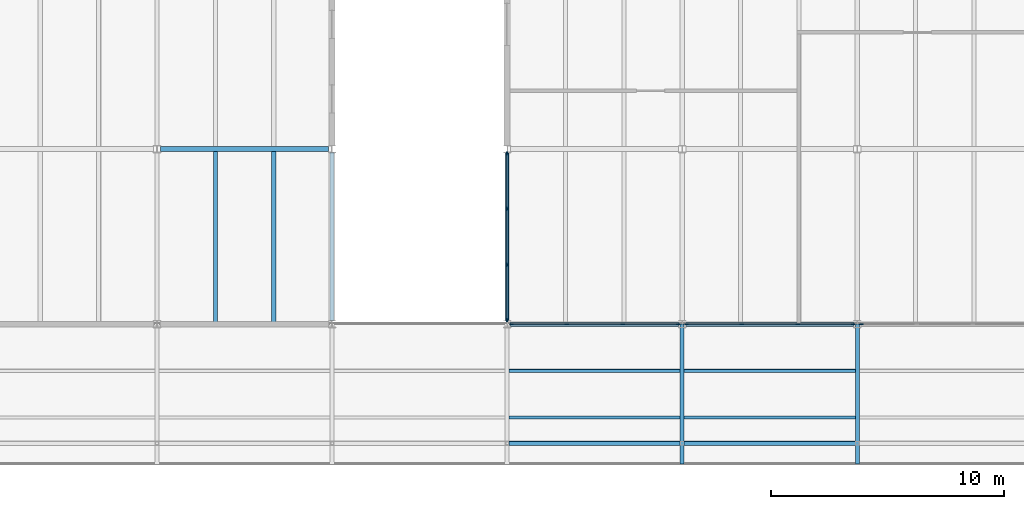
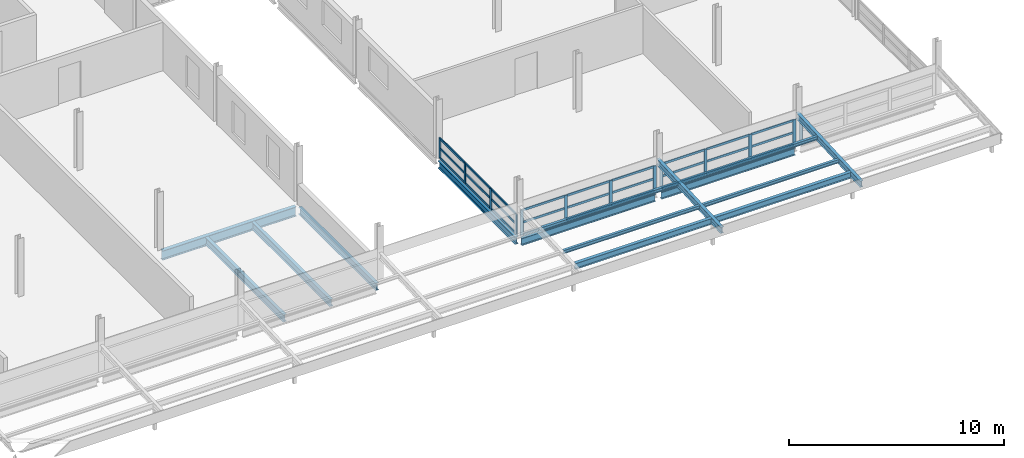
# One storey, part 46 of 214: 46 members, 9 beams, 4 elements without a shape of their own.
"""IFC4 building model written with IfcOpenShell, lengths in metres."""

import ifcopenshell
import ifcopenshell.guid

model = None  # the IFC model being written
_history = None  # IfcOwnerHistory: only IFC2X3 demands one
_inside = {}  # id of a spatial element -> (the spatial element, [elements in it])
_under = {}  # id of a project, library or spatial element -> (it, [spatial elements below it])
_declared = {}  # id of a project -> (the project, [libraries it declares])
_typed = {}  # id of a type object -> (the type object, [elements of that type])
_made_of = {}  # id of a material, layer set ... -> (it, [elements and type objects made of it])


def new_model(schema):
    """Start an empty IFC model of exactly this schema.

    Asked for "IFC4X3", IfcOpenShell would pick the latest addendum, in which some entities
    have other attributes; the version numbers below select the first issue.
    IFC2X3 requires an IfcOwnerHistory on every rooted entity: one is made here for all.
    """
    global model, _history
    if schema == "IFC4X3":
        model = ifcopenshell.file(schema_version=(4, 3, 0, 0))
    else:
        model = ifcopenshell.file(schema=schema)
    _inside.clear()
    _under.clear()
    _declared.clear()
    _typed.clear()
    _made_of.clear()
    _history = None
    if model.schema == "IFC2X3":
        org = make("IfcOrganization", Name="unknown")
        user = make(
            "IfcPersonAndOrganization",
            ThePerson=make("IfcPerson", FamilyName="unknown"),
            TheOrganization=org,
        )
        app = make(
            "IfcApplication",
            ApplicationDeveloper=org,
            Version="unknown",
            ApplicationFullName="unknown",
            ApplicationIdentifier="unknown",
        )
        _history = make(
            "IfcOwnerHistory",
            OwningUser=user,
            OwningApplication=app,
            ChangeAction="ADDED",
            CreationDate=0,
        )
    return model


def make(cls, **values):
    """One entity of the class cls with the attributes given. An attribute that is None is left unset."""
    return model.create_entity(
        cls, **{name: value for name, value in values.items() if value is not None}
    )


def rooted(cls, **values):
    """An entity with a GlobalId (a new one), such as an element, a storey or a relation."""
    return make(cls, GlobalId=ifcopenshell.guid.new(), OwnerHistory=_history, **values)


def si_unit(unit_type, name, prefix=None):
    """IfcSIUnit, for example si_unit("LENGTHUNIT", "METRE", prefix="MILLI")."""
    return make("IfcSIUnit", UnitType=unit_type, Prefix=prefix, Name=name)


def assignment(units):
    """IfcUnitAssignment: the units of a project."""
    return None if units is None else make("IfcUnitAssignment", Units=units)


def point(xyz):
    """IfcCartesianPoint."""
    return None if xyz is None else make("IfcCartesianPoint", Coordinates=xyz)


def direction(xyz):
    """IfcDirection."""
    return None if xyz is None else make("IfcDirection", DirectionRatios=xyz)


def frame(location, z_axis=None, x_axis=None):
    """IfcAxis2Placement3D, a coordinate frame: its origin and axes. An axis left out is left unset."""
    return make(
        "IfcAxis2Placement3D",
        Location=point(location),
        Axis=direction(z_axis),
        RefDirection=direction(x_axis),
    )


def frame_2d(location, x_axis=None):
    """IfcAxis2Placement2D, a coordinate frame in the plane: its origin and x axis."""
    return make(
        "IfcAxis2Placement2D", Location=point(location), RefDirection=direction(x_axis)
    )


def origin():
    """The frame at (0, 0, 0) with its axes left unset."""
    return frame((0.0, 0.0, 0.0))


def origin_2d():
    """The frame at (0, 0) in the plane with its x axis left unset."""
    return frame_2d((0.0, 0.0))


def place(relative_to, where):
    """IfcLocalPlacement: puts the frame where relative to a parent placement (None: the world)."""
    return make(
        "IfcLocalPlacement", PlacementRelTo=relative_to, RelativePlacement=where
    )


def context(
    kind, dimensions, precision=None, world=None, true_north=None, identifier=None
):
    """IfcGeometricRepresentationContext, for example the 3D "Model" context."""
    return make(
        "IfcGeometricRepresentationContext",
        ContextIdentifier=identifier,
        ContextType=kind,
        CoordinateSpaceDimension=dimensions,
        Precision=precision,
        WorldCoordinateSystem=world,
        TrueNorth=true_north,
    )


def subcontext(parent, identifier, kind, view, scale=None):
    """IfcGeometricRepresentationSubContext, for example "Body" below "Model"."""
    return make(
        "IfcGeometricRepresentationSubContext",
        ContextIdentifier=identifier,
        ContextType=kind,
        ParentContext=parent,
        TargetScale=scale,
        TargetView=view,
    )


def project(units=None, contexts=None):
    """IfcProject with its units and contexts."""
    return rooted(
        "IfcProject",
        Name="project",
        RepresentationContexts=contexts,
        UnitsInContext=assignment(units),
    )


def spatial(cls, under=None, at=None, **own):
    """A site, building, storey or space (cls), placed at a placement, below another one or the project."""
    s = rooted(cls, ObjectPlacement=at, **own)
    if under is not None:
        _under.setdefault(under.id(), (under, []))[1].append(s)
    return s


def profile(cls, at=None, kind="AREA", **sizes):
    """A parametric profile (cls). Its sizes go by their IFC names, for example OverallWidth=200.0."""
    return make(cls, ProfileType=kind, Position=at, **sizes)


def rectangle(**sizes):
    """IfcRectangleProfileDef."""
    return profile("IfcRectangleProfileDef", **sizes)


def i_section(**sizes):
    """IfcIShapeProfileDef."""
    return profile("IfcIShapeProfileDef", **sizes)


def extrude(swept, where, along, depth):
    """IfcExtrudedAreaSolid: the profile swept, set in the frame where, extruded along a direction by depth."""
    return make(
        "IfcExtrudedAreaSolid",
        SweptArea=swept,
        Position=where,
        ExtrudedDirection=direction(along),
        Depth=depth,
    )


def shape(context_of_items, identifier, shape_type, items):
    """IfcShapeRepresentation: the items that make up one representation, for example the "Body"."""
    return make(
        "IfcShapeRepresentation",
        ContextOfItems=context_of_items,
        RepresentationIdentifier=identifier,
        RepresentationType=shape_type,
        Items=items,
    )


def material(Name=None, Category=None):
    """IfcMaterial."""
    return make("IfcMaterial", Name=Name, Category=Category)


def material_profile(
    of_material, cross_section, Name=None, Category=None, Priority=None
):
    """IfcMaterialProfile: a cross section and its material."""
    return make(
        "IfcMaterialProfile",
        Name=Name,
        Material=of_material,
        Profile=cross_section,
        Priority=Priority,
        Category=Category,
    )


def profile_set(profiles, Name=None, composite=None):
    """IfcMaterialProfileSet."""
    return make(
        "IfcMaterialProfileSet",
        Name=Name,
        MaterialProfiles=profiles,
        CompositeProfile=composite,
    )


def made_of(thing, what):
    """Note that an element or type object is made of a material, layer set ...; save() writes the relation."""
    if what is not None:
        _made_of.setdefault(what.id(), (what, []))[1].append(thing)
    return thing


def type_object(cls, material=None, **own):
    """A type object (cls), such as IfcWallType, which elements share."""
    return made_of(rooted(cls, **own), material)


def element(
    cls,
    number,
    at=None,
    inside=None,
    cuts=None,
    type_object=None,
    material=None,
    context=None,
    identifier="Body",
    shape_type=None,
    held_by="IfcProductDefinitionShape",
    body=None,
    shapes=None,
    **own,
):
    """One element of the class cls, such as IfcWall. Its Tag is "e" and its number.

    at: its placement. inside: the storey or other place that contains it. cuts: it is an
    opening in that element (IfcRelVoidsElement). A single representation is given by context,
    identifier, shape_type and body (its items); several are given by shapes. held_by: the class
    of the entity that holds the representations. save() writes the other relations.
    """
    e = rooted(cls, Tag="e%d" % number, ObjectPlacement=at, **own)
    if body is not None:
        shapes = [shape(context, identifier, shape_type, body)]
    if shapes is not None:
        e.Representation = make(held_by, Representations=shapes)
    if inside is not None:
        _inside.setdefault(inside.id(), (inside, []))[1].append(e)
    if cuts is not None:
        rooted(
            "IfcRelVoidsElement", RelatingBuildingElement=cuts, RelatedOpeningElement=e
        )
    if type_object is not None:
        _typed.setdefault(type_object.id(), (type_object, []))[1].append(e)
    return made_of(e, material)


def aggregate(whole, parts):
    """IfcRelAggregates: a whole, such as a stair, and the parts it consists of."""
    return rooted("IfcRelAggregates", RelatingObject=whole, RelatedObjects=parts)


def save(model, path):
    """Write the relations noted so far, then the file.

    IfcRelAggregates (storeys below a building ...), IfcRelContainedInSpatialStructure (elements
    in a storey), IfcRelDefinesByType, IfcRelAssociatesMaterial and IfcRelDeclares: one each for
    every whole, place, type object, material and project.
    """
    for whole, parts in _under.values():
        aggregate(whole, parts)
    for where, things in _inside.values():
        rooted(
            "IfcRelContainedInSpatialStructure",
            RelatedElements=things,
            RelatingStructure=where,
        )
    for kind, things in _typed.values():
        rooted("IfcRelDefinesByType", RelatedObjects=things, RelatingType=kind)
    for what, things in _made_of.values():
        rooted("IfcRelAssociatesMaterial", RelatedObjects=things, RelatingMaterial=what)
    for by, libraries in _declared.values():
        rooted("IfcRelDeclares", RelatingContext=by, RelatedDefinitions=libraries)
    model.write(path)


model = new_model("IFC4")

# Units and contexts
model_context = context("Model", 3, precision=1e-05, world=origin(), true_north=direction((0.0, 1.0)))
body_context = subcontext(model_context, "Body", "Model", "MODEL_VIEW")
ifc_project = project(units=[si_unit("LENGTHUNIT", "METRE"), si_unit("AREAUNIT", "SQUARE_METRE"), si_unit("VOLUMEUNIT", "CUBIC_METRE"), si_unit("PLANEANGLEUNIT", "RADIAN"), si_unit("MASSUNIT", "GRAM", prefix="KILO")], contexts=[model_context])

# Site, building, storey
site_placement = place(None, origin())
site = spatial("IfcSite", under=ifc_project, at=site_placement, CompositionType="ELEMENT")
building_placement = place(site_placement, origin())
building = spatial("IfcBuilding", under=site, at=building_placement, Name="Parallax Yard Mobility Hub", CompositionType="ELEMENT")
storey_placement = place(building_placement, frame((0.0, 0.0, 3.300048828125)))
storey = spatial("IfcBuildingStorey", under=building, at=storey_placement, Name="L01", CompositionType="ELEMENT", Elevation=3.300048828125)

# Beams
ifc_material_1 = material(Name="Steel ASTM A992", Category="steel")
ifc_material_profile_1 = material_profile(ifc_material_1, i_section(OverallWidth=0.1708984375, OverallDepth=0.35498046875, WebThickness=0.007080078125, FlangeThickness=0.01171875, at=origin_2d()), Name="W360x51")
ifc_profile_set_1 = profile_set([ifc_material_profile_1], Name="Steel ASTM A992")
beam_type_1 = type_object("IfcBeamType", Name="Arcade edge beam W360x51", PredefinedType="SPANDREL", material=ifc_profile_set_1)
for number, where, z_axis, x_axis, name in (
    (1, (150.08544921875, 2.408935546875, 1.378173828125), (1.0, 0.0, 0.0), (0.0, 0.998752343433, 0.049937525845), "Arcade edge beam V6 bay 8"),
    (2, (157.58544921875, 2.408935546875, 1.378173828125), (1.0, 0.0, 0.0), (0.0, 0.998752343433, 0.049937525845), "Arcade edge beam V6 bay 9"),
):
    element("IfcBeam", number, at=place(storey_placement, frame(where, z_axis=z_axis, x_axis=x_axis)), inside=storey, type_object=beam_type_1, Name=name, PredefinedType="SPANDREL", context=body_context, shape_type="SweptSolid", body=[
        extrude(i_section(OverallWidth=0.1708984375, OverallDepth=0.35498046875, WebThickness=0.007080078125, FlangeThickness=0.01171875, at=origin_2d()), origin(), (0.0, 0.0, 1.0), 7.3291015625),
    ])

# Members
ifc_material_profile_2 = material_profile(ifc_material_1, i_section(OverallWidth=0.133056640625, OverallDepth=0.20703125, WebThickness=0.005859375, FlangeThickness=0.00830078125, at=origin_2d()), Name="W200x27")
ifc_profile_set_2 = profile_set([ifc_material_profile_2], Name="Steel ASTM A992")
member_type_1 = type_object("IfcMemberType", Name="Arcade purlin W200x27", PredefinedType="PURLIN", material=ifc_profile_set_2)
for number, where, z_axis, x_axis, name in (
    (3, (150.08544921875, 3.505126953125, 1.507080078125), (1.0, 0.0, 0.0), (0.0, 0.998752343433, 0.049937525845), "Arcade purlin V6 bay 8 line 1"),
    (4, (150.08544921875, 5.505126953125, 1.60693359375), (1.0, 0.0, 0.0), (0.0, 0.998752343433, 0.049937525845), "Arcade purlin V6 bay 8 line 2"),
    (5, (157.58544921875, 3.505126953125, 1.507080078125), (1.0, 0.0, 0.0), (0.0, 0.998752343433, 0.049937525845), "Arcade purlin V6 bay 9 line 1"),
    (6, (157.58544921875, 5.505126953125, 1.60693359375), (1.0, 0.0, 0.0), (0.0, 0.998752343433, 0.049937525845), "Arcade purlin V6 bay 9 line 2"),
):
    element("IfcMember", number, at=place(storey_placement, frame(where, z_axis=z_axis, x_axis=x_axis)), inside=storey, type_object=member_type_1, Name=name, PredefinedType="PURLIN", context=body_context, shape_type="SweptSolid", body=[
        extrude(i_section(OverallWidth=0.133056640625, OverallDepth=0.20703125, WebThickness=0.005859375, FlangeThickness=0.00830078125, at=origin_2d()), origin(), (0.0, 0.0, 1.0), 7.3291015625),
    ])
ifc_material_profile_3 = material_profile(ifc_material_1, i_section(OverallWidth=0.1708984375, OverallDepth=0.35498046875, WebThickness=0.007080078125, FlangeThickness=0.01171875, at=origin_2d()), Name="W360x51")
ifc_profile_set_3 = profile_set([ifc_material_profile_3], Name="Steel ASTM A992")
member_type_2 = type_object("IfcMemberType", Name="Arcade rafter W360x51", PredefinedType="RAFTER", material=ifc_profile_set_3)
for number, where, z_axis, x_axis, name in (
    (7, (157.5, 1.518798828125, 1.333740234375), (0.0, 0.998753861131, 0.049907162574), (-1.0, 0.0, 0.0), "Arcade rafter V6 9"),
    (8, (165.0, 1.518798828125, 1.333740234375), (0.0, 0.998753861131, 0.049907162574), (-1.0, 0.0, 0.0), "Arcade rafter V6 10"),
):
    element("IfcMember", number, at=place(storey_placement, frame(where, z_axis=z_axis, x_axis=x_axis)), inside=storey, type_object=member_type_2, Name=name, PredefinedType="RAFTER", context=body_context, shape_type="SweptSolid", body=[
        extrude(i_section(OverallWidth=0.1708984375, OverallDepth=0.35498046875, WebThickness=0.007080078125, FlangeThickness=0.01171875, at=origin_2d()), origin(), (0.0, 0.0, 1.0), 5.99755859375),
    ])

# Curtain wall, members
ifc_material_2 = material(Name="Thermally broken aluminium curtain wall system", Category="aluminium")
curtain_wall_type = type_object("IfcCurtainWallType", Name="Curtain wall run 60 x 160 frame", PredefinedType="NOTDEFINED", material=ifc_material_2)
curtain_wall_1_placement = place(storey_placement, origin())
curtain_wall_1 = element("IfcCurtainWall", 9, at=curtain_wall_1_placement, inside=storey, type_object=curtain_wall_type, Name="Curtain wall run Bicycle and shared-mobility hall south bay 1 level L01", PredefinedType="NOTDEFINED")
ifc_material_3 = material(Name="Extruded aluminium", Category="aluminium")
ifc_material_profile_4 = material_profile(ifc_material_3, rectangle(XDim=0.06005859375, YDim=0.159912109375, at=origin_2d()), Name="Mullion 60 x 160")
ifc_profile_set_4 = profile_set([ifc_material_profile_4], Name="Extruded aluminium")
member_type_3 = type_object("IfcMemberType", Name="Mullion 60 x 160", PredefinedType="MULLION", material=ifc_profile_set_4)
member_1_placement = place(storey_placement, frame((150.18359375, 7.5, 0.0), z_axis=(0.0, 0.0, 1.0), x_axis=(0.0, 1.0, 0.0)))
member_1 = element("IfcMember", 10, at=member_1_placement, type_object=member_type_3, Name="CW1 mullion 1", PredefinedType="MULLION", context=body_context, shape_type="SweptSolid", body=[
    extrude(rectangle(XDim=0.06005859375, YDim=0.159912109375, at=origin_2d()), origin(), (0.0, 0.0, 1.0), 1.4404296875),
])
member_2_placement = place(storey_placement, frame((152.55126953125, 7.5, 0.0), z_axis=(0.0, 0.0, 1.0), x_axis=(0.0, 1.0, 0.0)))
member_2 = element("IfcMember", 11, at=member_2_placement, type_object=member_type_3, Name="CW1 mullion 2", PredefinedType="MULLION", context=body_context, shape_type="SweptSolid", body=[
    extrude(rectangle(XDim=0.06005859375, YDim=0.159912109375, at=origin_2d()), origin(), (0.0, 0.0, 1.0), 1.4404296875),
])
member_3_placement = place(storey_placement, frame((154.94873046875, 7.5, 0.0), z_axis=(0.0, 0.0, 1.0), x_axis=(0.0, 1.0, 0.0)))
member_3 = element("IfcMember", 12, at=member_3_placement, type_object=member_type_3, Name="CW1 mullion 3", PredefinedType="MULLION", context=body_context, shape_type="SweptSolid", body=[
    extrude(rectangle(XDim=0.06005859375, YDim=0.159912109375, at=origin_2d()), origin(), (0.0, 0.0, 1.0), 1.4404296875),
])
member_4_placement = place(storey_placement, frame((157.31640625, 7.5, 0.0), z_axis=(0.0, 0.0, 1.0), x_axis=(0.0, 1.0, 0.0)))
member_4 = element("IfcMember", 13, at=member_4_placement, type_object=member_type_3, Name="CW1 mullion 4", PredefinedType="MULLION", context=body_context, shape_type="SweptSolid", body=[
    extrude(rectangle(XDim=0.06005859375, YDim=0.159912109375, at=origin_2d()), origin(), (0.0, 0.0, 1.0), 1.4404296875),
])

curtain_wall_2_placement = place(storey_placement, origin())
curtain_wall_2 = element("IfcCurtainWall", 14, at=curtain_wall_2_placement, inside=storey, type_object=curtain_wall_type, Name="Curtain wall run Bicycle and shared-mobility hall south bay 2 level L01", PredefinedType="NOTDEFINED")
member_5_placement = place(storey_placement, frame((157.68359375, 7.5, 0.0), z_axis=(0.0, 0.0, 1.0), x_axis=(0.0, 1.0, 0.0)))
member_5 = element("IfcMember", 15, at=member_5_placement, type_object=member_type_3, Name="CW1 mullion 1", PredefinedType="MULLION", context=body_context, shape_type="SweptSolid", body=[
    extrude(rectangle(XDim=0.06005859375, YDim=0.159912109375, at=origin_2d()), origin(), (0.0, 0.0, 1.0), 1.4404296875),
])
member_6_placement = place(storey_placement, frame((160.05126953125, 7.5, 0.0), z_axis=(0.0, 0.0, 1.0), x_axis=(0.0, 1.0, 0.0)))
member_6 = element("IfcMember", 16, at=member_6_placement, type_object=member_type_3, Name="CW1 mullion 2", PredefinedType="MULLION", context=body_context, shape_type="SweptSolid", body=[
    extrude(rectangle(XDim=0.06005859375, YDim=0.159912109375, at=origin_2d()), origin(), (0.0, 0.0, 1.0), 1.4404296875),
])
member_7_placement = place(storey_placement, frame((162.44873046875, 7.5, 0.0), z_axis=(0.0, 0.0, 1.0), x_axis=(0.0, 1.0, 0.0)))
member_7 = element("IfcMember", 17, at=member_7_placement, type_object=member_type_3, Name="CW1 mullion 3", PredefinedType="MULLION", context=body_context, shape_type="SweptSolid", body=[
    extrude(rectangle(XDim=0.06005859375, YDim=0.159912109375, at=origin_2d()), origin(), (0.0, 0.0, 1.0), 1.4404296875),
])
member_8_placement = place(storey_placement, frame((164.81640625, 7.5, 0.0), z_axis=(0.0, 0.0, 1.0), x_axis=(0.0, 1.0, 0.0)))
member_8 = element("IfcMember", 18, at=member_8_placement, type_object=member_type_3, Name="CW1 mullion 4", PredefinedType="MULLION", context=body_context, shape_type="SweptSolid", body=[
    extrude(rectangle(XDim=0.06005859375, YDim=0.159912109375, at=origin_2d()), origin(), (0.0, 0.0, 1.0), 1.4404296875),
])

# Curtain wall, member
curtain_wall_3_placement = place(storey_placement, origin())
curtain_wall_3 = element("IfcCurtainWall", 19, at=curtain_wall_3_placement, inside=storey, type_object=curtain_wall_type, Name="Curtain wall run Bicycle and shared-mobility hall south bay 3 level L01", PredefinedType="NOTDEFINED")
member_9_placement = place(storey_placement, frame((165.18359375, 7.5, 0.0), z_axis=(0.0, 0.0, 1.0), x_axis=(0.0, 1.0, 0.0)))
member_9 = element("IfcMember", 20, at=member_9_placement, type_object=member_type_3, Name="CW1 mullion 1", PredefinedType="MULLION", context=body_context, shape_type="SweptSolid", body=[
    extrude(rectangle(XDim=0.06005859375, YDim=0.159912109375, at=origin_2d()), origin(), (0.0, 0.0, 1.0), 1.4404296875),
])
aggregate(curtain_wall_3, [member_9])

# Curtain wall, members
curtain_wall_4_placement = place(storey_placement, origin())
curtain_wall_4 = element("IfcCurtainWall", 21, at=curtain_wall_4_placement, inside=storey, type_object=curtain_wall_type, Name="Curtain wall run Bicycle and shared-mobility hall west bay 1 level L01", PredefinedType="NOTDEFINED")
member_10_placement = place(storey_placement, frame((150.0, 7.68359375, 0.0), z_axis=(0.0, 0.0, 1.0), x_axis=(-1.0, 0.0, 0.0)))
member_10 = element("IfcMember", 22, at=member_10_placement, type_object=member_type_3, Name="CW1 mullion 1", PredefinedType="MULLION", context=body_context, shape_type="SweptSolid", body=[
    extrude(rectangle(XDim=0.06005859375, YDim=0.159912109375, at=origin_2d()), origin(), (0.0, 0.0, 1.0), 1.15625),
])
member_11_placement = place(storey_placement, frame((150.0, 10.05126953125, 0.0), z_axis=(0.0, 0.0, 1.0), x_axis=(-1.0, 0.0, 0.0)))
member_11 = element("IfcMember", 23, at=member_11_placement, type_object=member_type_3, Name="CW1 mullion 2", PredefinedType="MULLION", context=body_context, shape_type="SweptSolid", body=[
    extrude(rectangle(XDim=0.06005859375, YDim=0.159912109375, at=origin_2d()), origin(), (0.0, 0.0, 1.0), 1.15625),
])
member_12_placement = place(storey_placement, frame((150.0, 12.44873046875, 0.0), z_axis=(0.0, 0.0, 1.0), x_axis=(-1.0, 0.0, 0.0)))
member_12 = element("IfcMember", 24, at=member_12_placement, type_object=member_type_3, Name="CW1 mullion 3", PredefinedType="MULLION", context=body_context, shape_type="SweptSolid", body=[
    extrude(rectangle(XDim=0.06005859375, YDim=0.159912109375, at=origin_2d()), origin(), (0.0, 0.0, 1.0), 1.15625),
])
member_13_placement = place(storey_placement, frame((150.0, 14.81640625, 0.0), z_axis=(0.0, 0.0, 1.0), x_axis=(-1.0, 0.0, 0.0)))
member_13 = element("IfcMember", 25, at=member_13_placement, type_object=member_type_3, Name="CW1 mullion 4", PredefinedType="MULLION", context=body_context, shape_type="SweptSolid", body=[
    extrude(rectangle(XDim=0.06005859375, YDim=0.159912109375, at=origin_2d()), origin(), (0.0, 0.0, 1.0), 1.15625),
])

# Member
ifc_material_profile_5 = material_profile(ifc_material_3, rectangle(XDim=0.06005859375, YDim=0.1201171875, at=origin_2d()), Name="Transom 60 x 120")
ifc_profile_set_5 = profile_set([ifc_material_profile_5], Name="Extruded aluminium")
member_type_4 = type_object("IfcMemberType", Name="Transom 60 x 120", PredefinedType="USERDEFINED", material=ifc_profile_set_5)
member_14_placement = place(storey_placement, frame((150.21337890625, 7.5, 0.030029296875), z_axis=(1.0, 0.0, 0.0), x_axis=(0.0, 1.0, 0.0)))
member_14 = element("IfcMember", 26, at=member_14_placement, type_object=member_type_4, Name="CW1 transom 1.1", ObjectType="TRANSOM", PredefinedType="USERDEFINED", context=body_context, shape_type="SweptSolid", body=[
    extrude(rectangle(XDim=0.06005859375, YDim=0.1201171875, at=origin_2d()), origin(), (0.0, 0.0, 1.0), 2.307861328125),
])

member_15_placement = place(storey_placement, frame((150.21337890625, 7.5, 0.72021484375), z_axis=(1.0, 0.0, 0.0), x_axis=(0.0, 1.0, 0.0)))
member_15 = element("IfcMember", 27, at=member_15_placement, type_object=member_type_4, Name="CW1 transom 1.2", ObjectType="TRANSOM", PredefinedType="USERDEFINED", context=body_context, shape_type="SweptSolid", body=[
    extrude(rectangle(XDim=0.06005859375, YDim=0.1201171875, at=origin_2d()), origin(), (0.0, 0.0, 1.0), 2.307861328125),
])

member_16_placement = place(storey_placement, frame((150.21337890625, 7.5, 1.410400390625), z_axis=(1.0, 0.0, 0.0), x_axis=(0.0, 1.0, 0.0)))
member_16 = element("IfcMember", 28, at=member_16_placement, type_object=member_type_4, Name="CW1 transom 1.3", ObjectType="TRANSOM", PredefinedType="USERDEFINED", context=body_context, shape_type="SweptSolid", body=[
    extrude(rectangle(XDim=0.06005859375, YDim=0.1201171875, at=origin_2d()), origin(), (0.0, 0.0, 1.0), 2.307861328125),
])

member_17_placement = place(storey_placement, frame((152.5810546875, 7.5, 0.030029296875), z_axis=(1.0, 0.0, 0.0), x_axis=(0.0, 1.0, 0.0)))
member_17 = element("IfcMember", 29, at=member_17_placement, type_object=member_type_4, Name="CW1 transom 2.1", ObjectType="TRANSOM", PredefinedType="USERDEFINED", context=body_context, shape_type="SweptSolid", body=[
    extrude(rectangle(XDim=0.06005859375, YDim=0.1201171875, at=origin_2d()), origin(), (0.0, 0.0, 1.0), 2.337890625),
])

member_18_placement = place(storey_placement, frame((152.5810546875, 7.5, 0.72021484375), z_axis=(1.0, 0.0, 0.0), x_axis=(0.0, 1.0, 0.0)))
member_18 = element("IfcMember", 30, at=member_18_placement, type_object=member_type_4, Name="CW1 transom 2.2", ObjectType="TRANSOM", PredefinedType="USERDEFINED", context=body_context, shape_type="SweptSolid", body=[
    extrude(rectangle(XDim=0.06005859375, YDim=0.1201171875, at=origin_2d()), origin(), (0.0, 0.0, 1.0), 2.337890625),
])

member_19_placement = place(storey_placement, frame((152.5810546875, 7.5, 1.410400390625), z_axis=(1.0, 0.0, 0.0), x_axis=(0.0, 1.0, 0.0)))
member_19 = element("IfcMember", 31, at=member_19_placement, type_object=member_type_4, Name="CW1 transom 2.3", ObjectType="TRANSOM", PredefinedType="USERDEFINED", context=body_context, shape_type="SweptSolid", body=[
    extrude(rectangle(XDim=0.06005859375, YDim=0.1201171875, at=origin_2d()), origin(), (0.0, 0.0, 1.0), 2.337890625),
])

member_20_placement = place(storey_placement, frame((154.978759765625, 7.5, 0.030029296875), z_axis=(1.0, 0.0, 0.0), x_axis=(0.0, 1.0, 0.0)))
member_20 = element("IfcMember", 32, at=member_20_placement, type_object=member_type_4, Name="CW1 transom 3.1", ObjectType="TRANSOM", PredefinedType="USERDEFINED", context=body_context, shape_type="SweptSolid", body=[
    extrude(rectangle(XDim=0.06005859375, YDim=0.1201171875, at=origin_2d()), origin(), (0.0, 0.0, 1.0), 2.307861328125),
])

member_21_placement = place(storey_placement, frame((154.978759765625, 7.5, 0.72021484375), z_axis=(1.0, 0.0, 0.0), x_axis=(0.0, 1.0, 0.0)))
member_21 = element("IfcMember", 33, at=member_21_placement, type_object=member_type_4, Name="CW1 transom 3.2", ObjectType="TRANSOM", PredefinedType="USERDEFINED", context=body_context, shape_type="SweptSolid", body=[
    extrude(rectangle(XDim=0.06005859375, YDim=0.1201171875, at=origin_2d()), origin(), (0.0, 0.0, 1.0), 2.307861328125),
])

member_22_placement = place(storey_placement, frame((154.978759765625, 7.5, 1.410400390625), z_axis=(1.0, 0.0, 0.0), x_axis=(0.0, 1.0, 0.0)))
member_22 = element("IfcMember", 34, at=member_22_placement, type_object=member_type_4, Name="CW1 transom 3.3", ObjectType="TRANSOM", PredefinedType="USERDEFINED", context=body_context, shape_type="SweptSolid", body=[
    extrude(rectangle(XDim=0.06005859375, YDim=0.1201171875, at=origin_2d()), origin(), (0.0, 0.0, 1.0), 2.307861328125),
])

aggregate(curtain_wall_1, [member_1, member_2, member_3, member_4, member_14, member_15, member_16, member_17, member_18, member_19, member_20, member_21, member_22])

member_23_placement = place(storey_placement, frame((157.71337890625, 7.5, 0.030029296875), z_axis=(1.0, 0.0, 0.0), x_axis=(0.0, 1.0, 0.0)))
member_23 = element("IfcMember", 35, at=member_23_placement, type_object=member_type_4, Name="CW1 transom 1.1", ObjectType="TRANSOM", PredefinedType="USERDEFINED", context=body_context, shape_type="SweptSolid", body=[
    extrude(rectangle(XDim=0.06005859375, YDim=0.1201171875, at=origin_2d()), origin(), (0.0, 0.0, 1.0), 2.307861328125),
])

member_24_placement = place(storey_placement, frame((157.71337890625, 7.5, 0.72021484375), z_axis=(1.0, 0.0, 0.0), x_axis=(0.0, 1.0, 0.0)))
member_24 = element("IfcMember", 36, at=member_24_placement, type_object=member_type_4, Name="CW1 transom 1.2", ObjectType="TRANSOM", PredefinedType="USERDEFINED", context=body_context, shape_type="SweptSolid", body=[
    extrude(rectangle(XDim=0.06005859375, YDim=0.1201171875, at=origin_2d()), origin(), (0.0, 0.0, 1.0), 2.307861328125),
])

member_25_placement = place(storey_placement, frame((157.71337890625, 7.5, 1.410400390625), z_axis=(1.0, 0.0, 0.0), x_axis=(0.0, 1.0, 0.0)))
member_25 = element("IfcMember", 37, at=member_25_placement, type_object=member_type_4, Name="CW1 transom 1.3", ObjectType="TRANSOM", PredefinedType="USERDEFINED", context=body_context, shape_type="SweptSolid", body=[
    extrude(rectangle(XDim=0.06005859375, YDim=0.1201171875, at=origin_2d()), origin(), (0.0, 0.0, 1.0), 2.307861328125),
])

member_26_placement = place(storey_placement, frame((160.0810546875, 7.5, 0.030029296875), z_axis=(1.0, 0.0, 0.0), x_axis=(0.0, 1.0, 0.0)))
member_26 = element("IfcMember", 38, at=member_26_placement, type_object=member_type_4, Name="CW1 transom 2.1", ObjectType="TRANSOM", PredefinedType="USERDEFINED", context=body_context, shape_type="SweptSolid", body=[
    extrude(rectangle(XDim=0.06005859375, YDim=0.1201171875, at=origin_2d()), origin(), (0.0, 0.0, 1.0), 2.337890625),
])

member_27_placement = place(storey_placement, frame((160.0810546875, 7.5, 0.72021484375), z_axis=(1.0, 0.0, 0.0), x_axis=(0.0, 1.0, 0.0)))
member_27 = element("IfcMember", 39, at=member_27_placement, type_object=member_type_4, Name="CW1 transom 2.2", ObjectType="TRANSOM", PredefinedType="USERDEFINED", context=body_context, shape_type="SweptSolid", body=[
    extrude(rectangle(XDim=0.06005859375, YDim=0.1201171875, at=origin_2d()), origin(), (0.0, 0.0, 1.0), 2.337890625),
])

member_28_placement = place(storey_placement, frame((160.0810546875, 7.5, 1.410400390625), z_axis=(1.0, 0.0, 0.0), x_axis=(0.0, 1.0, 0.0)))
member_28 = element("IfcMember", 40, at=member_28_placement, type_object=member_type_4, Name="CW1 transom 2.3", ObjectType="TRANSOM", PredefinedType="USERDEFINED", context=body_context, shape_type="SweptSolid", body=[
    extrude(rectangle(XDim=0.06005859375, YDim=0.1201171875, at=origin_2d()), origin(), (0.0, 0.0, 1.0), 2.337890625),
])

member_29_placement = place(storey_placement, frame((162.478759765625, 7.5, 0.030029296875), z_axis=(1.0, 0.0, 0.0), x_axis=(0.0, 1.0, 0.0)))
member_29 = element("IfcMember", 41, at=member_29_placement, type_object=member_type_4, Name="CW1 transom 3.1", ObjectType="TRANSOM", PredefinedType="USERDEFINED", context=body_context, shape_type="SweptSolid", body=[
    extrude(rectangle(XDim=0.06005859375, YDim=0.1201171875, at=origin_2d()), origin(), (0.0, 0.0, 1.0), 2.307861328125),
])

member_30_placement = place(storey_placement, frame((162.478759765625, 7.5, 0.72021484375), z_axis=(1.0, 0.0, 0.0), x_axis=(0.0, 1.0, 0.0)))
member_30 = element("IfcMember", 42, at=member_30_placement, type_object=member_type_4, Name="CW1 transom 3.2", ObjectType="TRANSOM", PredefinedType="USERDEFINED", context=body_context, shape_type="SweptSolid", body=[
    extrude(rectangle(XDim=0.06005859375, YDim=0.1201171875, at=origin_2d()), origin(), (0.0, 0.0, 1.0), 2.307861328125),
])

member_31_placement = place(storey_placement, frame((162.478759765625, 7.5, 1.410400390625), z_axis=(1.0, 0.0, 0.0), x_axis=(0.0, 1.0, 0.0)))
member_31 = element("IfcMember", 43, at=member_31_placement, type_object=member_type_4, Name="CW1 transom 3.3", ObjectType="TRANSOM", PredefinedType="USERDEFINED", context=body_context, shape_type="SweptSolid", body=[
    extrude(rectangle(XDim=0.06005859375, YDim=0.1201171875, at=origin_2d()), origin(), (0.0, 0.0, 1.0), 2.307861328125),
])

aggregate(curtain_wall_2, [member_5, member_6, member_7, member_8, member_23, member_24, member_25, member_26, member_27, member_28, member_29, member_30, member_31])

member_32_placement = place(storey_placement, frame((150.0, 7.71337890625, 0.030029296875), z_axis=(0.0, 1.0, 0.0), x_axis=(-1.0, 0.0, 0.0)))
member_32 = element("IfcMember", 44, at=member_32_placement, type_object=member_type_4, Name="CW1 transom 1.1", ObjectType="TRANSOM", PredefinedType="USERDEFINED", context=body_context, shape_type="SweptSolid", body=[
    extrude(rectangle(XDim=0.06005859375, YDim=0.1201171875, at=origin_2d()), origin(), (0.0, 0.0, 1.0), 2.307861328125),
])

member_33_placement = place(storey_placement, frame((150.0, 7.71337890625, 0.578125), z_axis=(0.0, 1.0, 0.0), x_axis=(-1.0, 0.0, 0.0)))
member_33 = element("IfcMember", 45, at=member_33_placement, type_object=member_type_4, Name="CW1 transom 1.2", ObjectType="TRANSOM", PredefinedType="USERDEFINED", context=body_context, shape_type="SweptSolid", body=[
    extrude(rectangle(XDim=0.06005859375, YDim=0.1201171875, at=origin_2d()), origin(), (0.0, 0.0, 1.0), 2.307861328125),
])

member_34_placement = place(storey_placement, frame((150.0, 7.71337890625, 1.126220703125), z_axis=(0.0, 1.0, 0.0), x_axis=(-1.0, 0.0, 0.0)))
member_34 = element("IfcMember", 46, at=member_34_placement, type_object=member_type_4, Name="CW1 transom 1.3", ObjectType="TRANSOM", PredefinedType="USERDEFINED", context=body_context, shape_type="SweptSolid", body=[
    extrude(rectangle(XDim=0.06005859375, YDim=0.1201171875, at=origin_2d()), origin(), (0.0, 0.0, 1.0), 2.307861328125),
])

member_35_placement = place(storey_placement, frame((150.0, 10.0810546875, 0.030029296875), z_axis=(0.0, 1.0, 0.0), x_axis=(-1.0, 0.0, 0.0)))
member_35 = element("IfcMember", 47, at=member_35_placement, type_object=member_type_4, Name="CW1 transom 2.1", ObjectType="TRANSOM", PredefinedType="USERDEFINED", context=body_context, shape_type="SweptSolid", body=[
    extrude(rectangle(XDim=0.06005859375, YDim=0.1201171875, at=origin_2d()), origin(), (0.0, 0.0, 1.0), 2.337890625),
])

member_36_placement = place(storey_placement, frame((150.0, 10.0810546875, 0.578125), z_axis=(0.0, 1.0, 0.0), x_axis=(-1.0, 0.0, 0.0)))
member_36 = element("IfcMember", 48, at=member_36_placement, type_object=member_type_4, Name="CW1 transom 2.2", ObjectType="TRANSOM", PredefinedType="USERDEFINED", context=body_context, shape_type="SweptSolid", body=[
    extrude(rectangle(XDim=0.06005859375, YDim=0.1201171875, at=origin_2d()), origin(), (0.0, 0.0, 1.0), 2.337890625),
])

member_37_placement = place(storey_placement, frame((150.0, 10.0810546875, 1.126220703125), z_axis=(0.0, 1.0, 0.0), x_axis=(-1.0, 0.0, 0.0)))
member_37 = element("IfcMember", 49, at=member_37_placement, type_object=member_type_4, Name="CW1 transom 2.3", ObjectType="TRANSOM", PredefinedType="USERDEFINED", context=body_context, shape_type="SweptSolid", body=[
    extrude(rectangle(XDim=0.06005859375, YDim=0.1201171875, at=origin_2d()), origin(), (0.0, 0.0, 1.0), 2.337890625),
])

member_38_placement = place(storey_placement, frame((150.0, 12.478759765625, 0.030029296875), z_axis=(0.0, 1.0, 0.0), x_axis=(-1.0, 0.0, 0.0)))
member_38 = element("IfcMember", 50, at=member_38_placement, type_object=member_type_4, Name="CW1 transom 3.1", ObjectType="TRANSOM", PredefinedType="USERDEFINED", context=body_context, shape_type="SweptSolid", body=[
    extrude(rectangle(XDim=0.06005859375, YDim=0.1201171875, at=origin_2d()), origin(), (0.0, 0.0, 1.0), 2.307861328125),
])

member_39_placement = place(storey_placement, frame((150.0, 12.478759765625, 0.578125), z_axis=(0.0, 1.0, 0.0), x_axis=(-1.0, 0.0, 0.0)))
member_39 = element("IfcMember", 51, at=member_39_placement, type_object=member_type_4, Name="CW1 transom 3.2", ObjectType="TRANSOM", PredefinedType="USERDEFINED", context=body_context, shape_type="SweptSolid", body=[
    extrude(rectangle(XDim=0.06005859375, YDim=0.1201171875, at=origin_2d()), origin(), (0.0, 0.0, 1.0), 2.307861328125),
])

member_40_placement = place(storey_placement, frame((150.0, 12.478759765625, 1.126220703125), z_axis=(0.0, 1.0, 0.0), x_axis=(-1.0, 0.0, 0.0)))
member_40 = element("IfcMember", 52, at=member_40_placement, type_object=member_type_4, Name="CW1 transom 3.3", ObjectType="TRANSOM", PredefinedType="USERDEFINED", context=body_context, shape_type="SweptSolid", body=[
    extrude(rectangle(XDim=0.06005859375, YDim=0.1201171875, at=origin_2d()), origin(), (0.0, 0.0, 1.0), 2.307861328125),
])

aggregate(curtain_wall_4, [member_10, member_11, member_12, member_13, member_32, member_33, member_34, member_35, member_36, member_37, member_38, member_39, member_40])

# Beams
ifc_material_profile_6 = material_profile(ifc_material_1, i_section(OverallWidth=0.177978515625, OverallDepth=0.406005859375, WebThickness=0.0078125, FlangeThickness=0.0126953125, FilletRadius=0.01025390625, at=origin_2d()), Name="W410x60")
ifc_profile_set_6 = profile_set([ifc_material_profile_6], Name="Steel ASTM A992")
beam_type_2 = type_object("IfcBeamType", Name="W410x60 secondary beam", PredefinedType="JOIST", material=ifc_profile_set_6)
for number, where, z_axis, x_axis, name in (
    (53, (137.5, 7.589599609375, -0.343017578125), (0.0, 1.0, 0.0), (-1.0, 0.0, 0.0), "Secondary beam B1 level L01, 2.5 m east of line 19 of mobility service centre and workshops, span 1"),
    (54, (140.0, 7.589599609375, -0.343017578125), (0.0, 1.0, 0.0), (-1.0, 0.0, 0.0), "Secondary beam B1 level L01, 5 m east of line 19 of mobility service centre and workshops, span 1"),
):
    element("IfcBeam", number, at=place(storey_placement, frame(where, z_axis=z_axis, x_axis=x_axis)), inside=storey, type_object=beam_type_2, Name=name, PredefinedType="JOIST", context=body_context, shape_type="SweptSolid", body=[
        extrude(i_section(OverallWidth=0.177978515625, OverallDepth=0.406005859375, WebThickness=0.0078125, FlangeThickness=0.0126953125, FilletRadius=0.01025390625, at=origin_2d()), origin(), (0.0, 0.0, 1.0), 7.305908203125),
    ])
ifc_material_profile_7 = material_profile(ifc_material_1, i_section(OverallWidth=0.178955078125, OverallDepth=0.408935546875, WebThickness=0.0087890625, FlangeThickness=0.014404296875, FilletRadius=0.01025390625, at=origin_2d()), Name="W410x67")
ifc_profile_set_7 = profile_set([ifc_material_profile_7], Name="Steel ASTM A992")
beam_type_3 = type_object("IfcBeamType", Name="W410x67 edge beam", PredefinedType="SPANDREL", material=ifc_profile_set_7)
beam_1_placement = place(storey_placement, frame((150.0, 7.653564453125, -0.344482421875), z_axis=(0.0, 1.0, 0.0), x_axis=(-1.0, 0.0, 0.0)))
element("IfcBeam", 55, at=beam_1_placement, inside=storey, type_object=beam_type_3, Name="Edge beam SB3 level L01, line 21 of bicycle and shared-mobility hall, span 1", PredefinedType="SPANDREL", context=body_context, shape_type="SweptSolid", body=[
    extrude(i_section(OverallWidth=0.178955078125, OverallDepth=0.408935546875, WebThickness=0.0087890625, FlangeThickness=0.014404296875, FilletRadius=0.01025390625, at=origin_2d()), origin(), (0.0, 0.0, 1.0), 7.19287109375),
])
for number, where, z_axis, x_axis, name in (
    (56, (150.152587890625, 7.5, -0.344482421875), (1.0, 0.0, 0.0), (0.0, 1.0, 0.0), "Edge beam SB3 level L01, line B of bicycle and shared-mobility hall, span 1"),
    (57, (157.652587890625, 7.5, -0.344482421875), (1.0, 0.0, 0.0), (0.0, 1.0, 0.0), "Edge beam SB3 level L01, line B of bicycle and shared-mobility hall, span 2"),
):
    element("IfcBeam", number, at=place(storey_placement, frame(where, z_axis=z_axis, x_axis=x_axis)), inside=storey, type_object=beam_type_3, Name=name, PredefinedType="SPANDREL", context=body_context, shape_type="SweptSolid", body=[
        extrude(i_section(OverallWidth=0.178955078125, OverallDepth=0.408935546875, WebThickness=0.0087890625, FlangeThickness=0.014404296875, FilletRadius=0.01025390625, at=origin_2d()), origin(), (0.0, 0.0, 1.0), 7.19482421875),
    ])
beam_2_placement = place(storey_placement, frame((142.5, 7.653564453125, -0.344482421875), z_axis=(0.0, 1.0, 0.0), x_axis=(-1.0, 0.0, 0.0)))
element("IfcBeam", 58, at=beam_2_placement, inside=storey, type_object=beam_type_3, Name="Edge beam SB3 level L01, line 20 of mobility service centre and workshops, span 1", PredefinedType="SPANDREL", context=body_context, shape_type="SweptSolid", body=[
    extrude(i_section(OverallWidth=0.178955078125, OverallDepth=0.408935546875, WebThickness=0.0087890625, FlangeThickness=0.014404296875, FilletRadius=0.01025390625, at=origin_2d()), origin(), (0.0, 0.0, 1.0), 7.19287109375),
])
ifc_material_profile_8 = material_profile(ifc_material_1, i_section(OverallWidth=0.208984375, OverallDepth=0.532958984375, WebThickness=0.01025390625, FlangeThickness=0.015625, FilletRadius=0.0126953125, at=origin_2d()), Name="W530x92")
ifc_profile_set_8 = profile_set([ifc_material_profile_8], Name="Steel ASTM A992")
beam_type_4 = type_object("IfcBeamType", Name="W530x92 longitudinal beam", PredefinedType="BEAM", material=ifc_profile_set_8)
beam_3_placement = place(storey_placement, frame((135.153564453125, 15.0, -0.406494140625), z_axis=(1.0, 0.0, 0.0), x_axis=(0.0, 1.0, 0.0)))
element("IfcBeam", 59, at=beam_3_placement, inside=storey, type_object=beam_type_4, Name="Longitudinal beam SB6 level L01, line C of mobility service centre and workshops, span 6", PredefinedType="BEAM", context=body_context, shape_type="SweptSolid", body=[
    extrude(i_section(OverallWidth=0.208984375, OverallDepth=0.532958984375, WebThickness=0.01025390625, FlangeThickness=0.015625, FilletRadius=0.0126953125, at=origin_2d()), origin(), (0.0, 0.0, 1.0), 7.19384765625),
])

save(model, "model.ifc")
